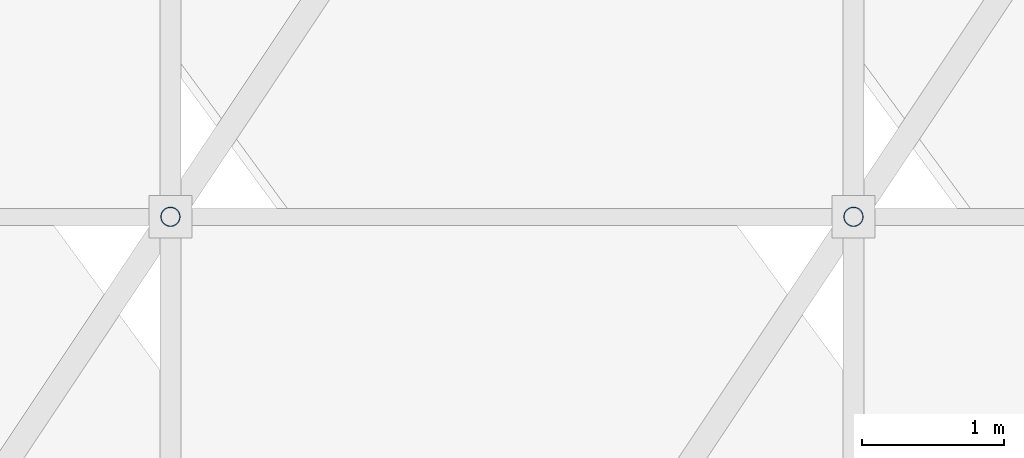
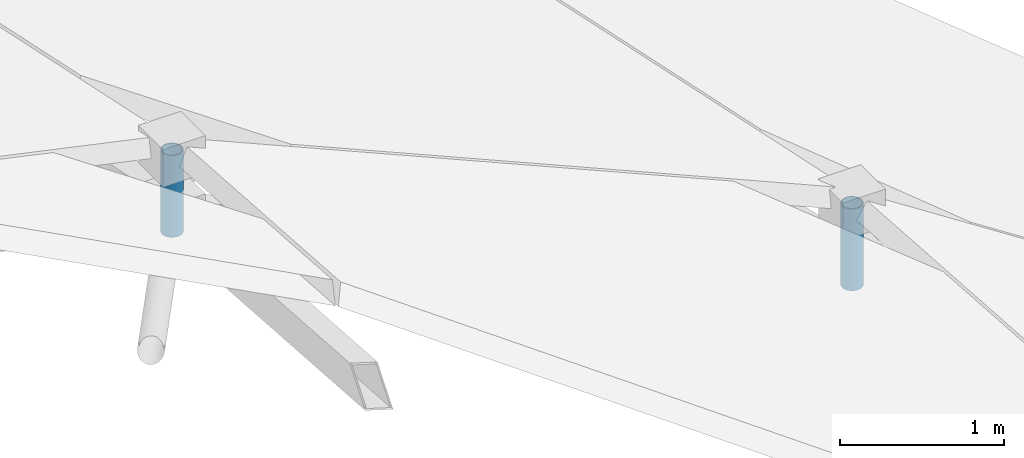
# One storey, part 6 of 9: 2 members.
"""IFC4 building model written with IfcOpenShell, lengths in metres."""

import ifcopenshell
import ifcopenshell.guid

model = None  # the IFC model being written
_history = None  # IfcOwnerHistory: only IFC2X3 demands one
_inside = {}  # id of a spatial element -> (the spatial element, [elements in it])
_under = {}  # id of a project, library or spatial element -> (it, [spatial elements below it])
_declared = {}  # id of a project -> (the project, [libraries it declares])
_typed = {}  # id of a type object -> (the type object, [elements of that type])
_made_of = {}  # id of a material, layer set ... -> (it, [elements and type objects made of it])


def new_model(schema):
    """Start an empty IFC model of exactly this schema.

    Asked for "IFC4X3", IfcOpenShell would pick the latest addendum, in which some entities
    have other attributes; the version numbers below select the first issue.
    IFC2X3 requires an IfcOwnerHistory on every rooted entity: one is made here for all.
    """
    global model, _history
    if schema == "IFC4X3":
        model = ifcopenshell.file(schema_version=(4, 3, 0, 0))
    else:
        model = ifcopenshell.file(schema=schema)
    _inside.clear()
    _under.clear()
    _declared.clear()
    _typed.clear()
    _made_of.clear()
    _history = None
    if model.schema == "IFC2X3":
        org = make("IfcOrganization", Name="unknown")
        user = make(
            "IfcPersonAndOrganization",
            ThePerson=make("IfcPerson", FamilyName="unknown"),
            TheOrganization=org,
        )
        app = make(
            "IfcApplication",
            ApplicationDeveloper=org,
            Version="unknown",
            ApplicationFullName="unknown",
            ApplicationIdentifier="unknown",
        )
        _history = make(
            "IfcOwnerHistory",
            OwningUser=user,
            OwningApplication=app,
            ChangeAction="ADDED",
            CreationDate=0,
        )
    return model


def make(cls, **values):
    """One entity of the class cls with the attributes given. An attribute that is None is left unset."""
    return model.create_entity(
        cls, **{name: value for name, value in values.items() if value is not None}
    )


def rooted(cls, **values):
    """An entity with a GlobalId (a new one), such as an element, a storey or a relation."""
    return make(cls, GlobalId=ifcopenshell.guid.new(), OwnerHistory=_history, **values)


def si_unit(unit_type, name, prefix=None):
    """IfcSIUnit, for example si_unit("LENGTHUNIT", "METRE", prefix="MILLI")."""
    return make("IfcSIUnit", UnitType=unit_type, Prefix=prefix, Name=name)


def assignment(units):
    """IfcUnitAssignment: the units of a project."""
    return None if units is None else make("IfcUnitAssignment", Units=units)


def point(xyz):
    """IfcCartesianPoint."""
    return None if xyz is None else make("IfcCartesianPoint", Coordinates=xyz)


def direction(xyz):
    """IfcDirection."""
    return None if xyz is None else make("IfcDirection", DirectionRatios=xyz)


def frame(location, z_axis=None, x_axis=None):
    """IfcAxis2Placement3D, a coordinate frame: its origin and axes. An axis left out is left unset."""
    return make(
        "IfcAxis2Placement3D",
        Location=point(location),
        Axis=direction(z_axis),
        RefDirection=direction(x_axis),
    )


def frame_2d(location, x_axis=None):
    """IfcAxis2Placement2D, a coordinate frame in the plane: its origin and x axis."""
    return make(
        "IfcAxis2Placement2D", Location=point(location), RefDirection=direction(x_axis)
    )


def origin():
    """The frame at (0, 0, 0) with its axes left unset."""
    return frame((0.0, 0.0, 0.0))


def origin_2d():
    """The frame at (0, 0) in the plane with its x axis left unset."""
    return frame_2d((0.0, 0.0))


def place(relative_to, where):
    """IfcLocalPlacement: puts the frame where relative to a parent placement (None: the world)."""
    return make(
        "IfcLocalPlacement", PlacementRelTo=relative_to, RelativePlacement=where
    )


def context(
    kind, dimensions, precision=None, world=None, true_north=None, identifier=None
):
    """IfcGeometricRepresentationContext, for example the 3D "Model" context."""
    return make(
        "IfcGeometricRepresentationContext",
        ContextIdentifier=identifier,
        ContextType=kind,
        CoordinateSpaceDimension=dimensions,
        Precision=precision,
        WorldCoordinateSystem=world,
        TrueNorth=true_north,
    )


def subcontext(parent, identifier, kind, view, scale=None):
    """IfcGeometricRepresentationSubContext, for example "Body" below "Model"."""
    return make(
        "IfcGeometricRepresentationSubContext",
        ContextIdentifier=identifier,
        ContextType=kind,
        ParentContext=parent,
        TargetScale=scale,
        TargetView=view,
    )


def project(units=None, contexts=None):
    """IfcProject with its units and contexts."""
    return rooted(
        "IfcProject",
        Name="project",
        RepresentationContexts=contexts,
        UnitsInContext=assignment(units),
    )


def spatial(cls, under=None, at=None, **own):
    """A site, building, storey or space (cls), placed at a placement, below another one or the project."""
    s = rooted(cls, ObjectPlacement=at, **own)
    if under is not None:
        _under.setdefault(under.id(), (under, []))[1].append(s)
    return s


def profile(cls, at=None, kind="AREA", **sizes):
    """A parametric profile (cls). Its sizes go by their IFC names, for example OverallWidth=200.0."""
    return make(cls, ProfileType=kind, Position=at, **sizes)


def hollow_circle(**sizes):
    """IfcCircleHollowProfileDef."""
    return profile("IfcCircleHollowProfileDef", **sizes)


def extrude(swept, where, along, depth):
    """IfcExtrudedAreaSolid: the profile swept, set in the frame where, extruded along a direction by depth."""
    return make(
        "IfcExtrudedAreaSolid",
        SweptArea=swept,
        Position=where,
        ExtrudedDirection=direction(along),
        Depth=depth,
    )


def shape(context_of_items, identifier, shape_type, items):
    """IfcShapeRepresentation: the items that make up one representation, for example the "Body"."""
    return make(
        "IfcShapeRepresentation",
        ContextOfItems=context_of_items,
        RepresentationIdentifier=identifier,
        RepresentationType=shape_type,
        Items=items,
    )


def material(Name=None, Category=None):
    """IfcMaterial."""
    return make("IfcMaterial", Name=Name, Category=Category)


def material_profile(
    of_material, cross_section, Name=None, Category=None, Priority=None
):
    """IfcMaterialProfile: a cross section and its material."""
    return make(
        "IfcMaterialProfile",
        Name=Name,
        Material=of_material,
        Profile=cross_section,
        Priority=Priority,
        Category=Category,
    )


def profile_set(profiles, Name=None, composite=None):
    """IfcMaterialProfileSet."""
    return make(
        "IfcMaterialProfileSet",
        Name=Name,
        MaterialProfiles=profiles,
        CompositeProfile=composite,
    )


def made_of(thing, what):
    """Note that an element or type object is made of a material, layer set ...; save() writes the relation."""
    if what is not None:
        _made_of.setdefault(what.id(), (what, []))[1].append(thing)
    return thing


def type_object(cls, material=None, **own):
    """A type object (cls), such as IfcWallType, which elements share."""
    return made_of(rooted(cls, **own), material)


def element(
    cls,
    number,
    at=None,
    inside=None,
    cuts=None,
    type_object=None,
    material=None,
    context=None,
    identifier="Body",
    shape_type=None,
    held_by="IfcProductDefinitionShape",
    body=None,
    shapes=None,
    **own,
):
    """One element of the class cls, such as IfcWall. Its Tag is "e" and its number.

    at: its placement. inside: the storey or other place that contains it. cuts: it is an
    opening in that element (IfcRelVoidsElement). A single representation is given by context,
    identifier, shape_type and body (its items); several are given by shapes. held_by: the class
    of the entity that holds the representations. save() writes the other relations.
    """
    e = rooted(cls, Tag="e%d" % number, ObjectPlacement=at, **own)
    if body is not None:
        shapes = [shape(context, identifier, shape_type, body)]
    if shapes is not None:
        e.Representation = make(held_by, Representations=shapes)
    if inside is not None:
        _inside.setdefault(inside.id(), (inside, []))[1].append(e)
    if cuts is not None:
        rooted(
            "IfcRelVoidsElement", RelatingBuildingElement=cuts, RelatedOpeningElement=e
        )
    if type_object is not None:
        _typed.setdefault(type_object.id(), (type_object, []))[1].append(e)
    return made_of(e, material)


def aggregate(whole, parts):
    """IfcRelAggregates: a whole, such as a stair, and the parts it consists of."""
    return rooted("IfcRelAggregates", RelatingObject=whole, RelatedObjects=parts)


def save(model, path):
    """Write the relations noted so far, then the file.

    IfcRelAggregates (storeys below a building ...), IfcRelContainedInSpatialStructure (elements
    in a storey), IfcRelDefinesByType, IfcRelAssociatesMaterial and IfcRelDeclares: one each for
    every whole, place, type object, material and project.
    """
    for whole, parts in _under.values():
        aggregate(whole, parts)
    for where, things in _inside.values():
        rooted(
            "IfcRelContainedInSpatialStructure",
            RelatedElements=things,
            RelatingStructure=where,
        )
    for kind, things in _typed.values():
        rooted("IfcRelDefinesByType", RelatedObjects=things, RelatingType=kind)
    for what, things in _made_of.values():
        rooted("IfcRelAssociatesMaterial", RelatedObjects=things, RelatingMaterial=what)
    for by, libraries in _declared.values():
        rooted("IfcRelDeclares", RelatingContext=by, RelatedDefinitions=libraries)
    model.write(path)


model = new_model("IFC4")

# Units and contexts
model_context = context("Model", 3, precision=1e-05, world=origin(), true_north=direction((0.0, 1.0)))
body_context = subcontext(model_context, "Body", "Model", "MODEL_VIEW")
ifc_project = project(units=[si_unit("LENGTHUNIT", "METRE"), si_unit("AREAUNIT", "SQUARE_METRE"), si_unit("VOLUMEUNIT", "CUBIC_METRE"), si_unit("PLANEANGLEUNIT", "RADIAN"), si_unit("MASSUNIT", "GRAM", prefix="KILO")], contexts=[model_context])

# Site, building, storey
site_placement = place(None, origin())
site = spatial("IfcSite", under=ifc_project, at=site_placement, CompositionType="ELEMENT")
building_placement = place(site_placement, origin())
building = spatial("IfcBuilding", under=site, at=building_placement, Name="Kahlenmark Community Centre", CompositionType="ELEMENT")
storey_placement = place(building_placement, frame((0.0, 0.0, 25.199951171875)))
storey = spatial("IfcBuildingStorey", under=building, at=storey_placement, Name="RF", CompositionType="ELEMENT", Elevation=25.199951171875)

# Members
ifc_material = material(Name="Steel S355", Category="steel")
ifc_material_profile = material_profile(ifc_material, hollow_circle(Radius=0.06982421875, WallThickness=0.00634765625, at=origin_2d()), Name="CHS 139.7x6.3")
ifc_profile_set = profile_set([ifc_material_profile], Name="Steel S355")
member_type = type_object("IfcMemberType", Name="MT-STRUT-CHS139.7x6.3", PredefinedType="STRUT", material=ifc_profile_set)
member_1_placement = place(storey_placement, frame((36.39990234375, 30.39990234375, -0.62060546875), z_axis=(0.0, 0.0, 1.0), x_axis=(1.0, 0.0, 0.0)))
element("IfcMember", 1, at=member_1_placement, inside=storey, type_object=member_type, Name="RF strut GS-SEAT", PredefinedType="STRUT", context=body_context, shape_type="SweptSolid", body=[
    extrude(hollow_circle(Radius=0.06982421875, WallThickness=0.00634765625, at=origin_2d()), origin(), (0.0, 0.0, 1.0), 0.610107421875),
])
member_2_placement = place(storey_placement, frame((41.199951171875, 30.39990234375, -2.69921875), z_axis=(0.0, 0.0, 1.0), x_axis=(1.0, 0.0, 0.0)))
element("IfcMember", 2, at=member_2_placement, inside=storey, type_object=member_type, Name="RF strut GS-SEAT", PredefinedType="STRUT", context=body_context, shape_type="SweptSolid", body=[
    extrude(hollow_circle(Radius=0.06982421875, WallThickness=0.00634765625, at=origin_2d()), origin(), (0.0, 0.0, 1.0), 0.60986328125),
])

save(model, "model.ifc")
